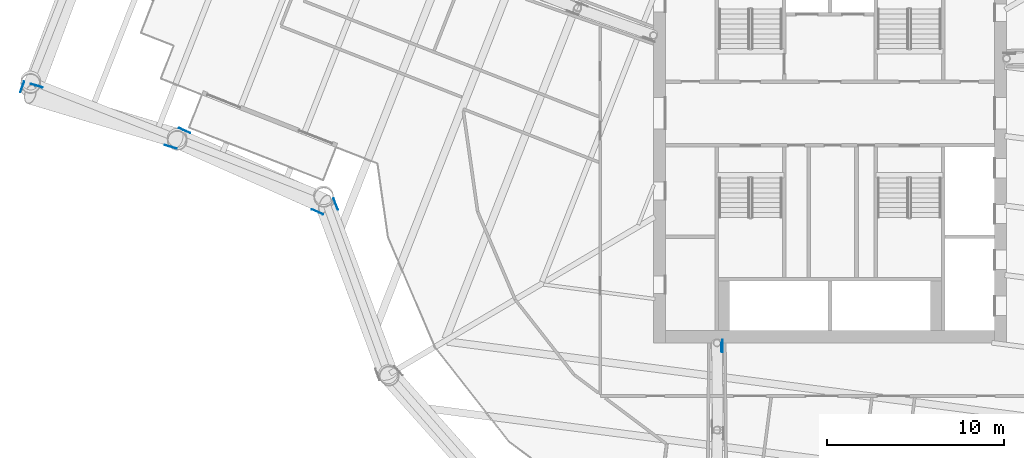
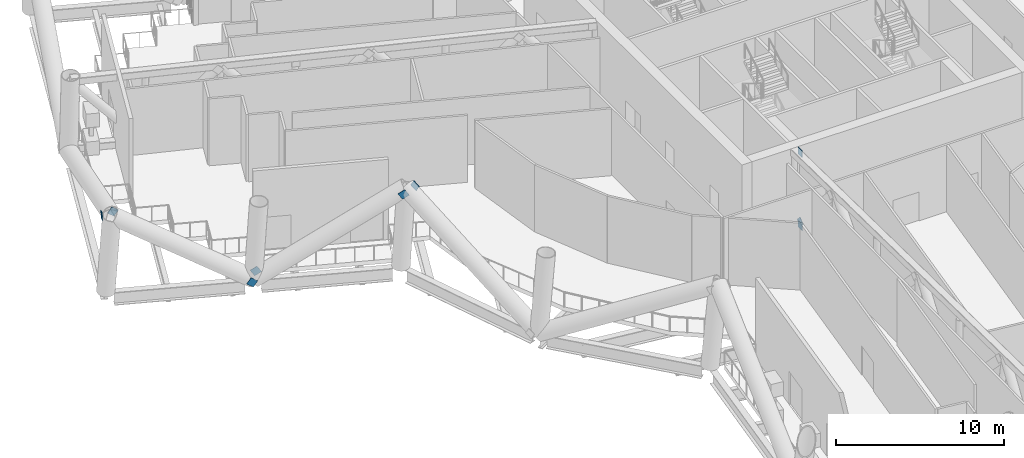
# One storey, part 22 of 36: 9 discrete accessories.
"""IFC4 building model written with IfcOpenShell, lengths in metres."""

from ifc_helpers import new_model, si_unit, direction, frame, origin, origin_2d, place, context, subcontext, project, spatial, rectangle, extrude, material, material_profile, profile_set, type_object, element, save


model = new_model("IFC4")

# Units and contexts
model_context = context("Model", 3, precision=1e-05, world=origin(), true_north=direction((0.0, 1.0)))
body_context = subcontext(model_context, "Body", "Model", "MODEL_VIEW")
ifc_project = project(units=[si_unit("LENGTHUNIT", "METRE"), si_unit("AREAUNIT", "SQUARE_METRE"), si_unit("VOLUMEUNIT", "CUBIC_METRE"), si_unit("PLANEANGLEUNIT", "RADIAN"), si_unit("MASSUNIT", "GRAM", prefix="KILO")], contexts=[model_context])

# Site, building, storey
site_placement = place(None, origin())
site = spatial("IfcSite", under=ifc_project, at=site_placement, CompositionType="ELEMENT")
building_placement = place(site_placement, origin())
building = spatial("IfcBuilding", under=site, at=building_placement, Name="Tarsis Ring Headquarters", CompositionType="ELEMENT")
storey_placement = place(building_placement, frame((0.0, 0.0, 194.39990234375)))
storey = spatial("IfcBuildingStorey", under=building, at=storey_placement, Name="L45", CompositionType="ELEMENT", Elevation=194.39990234375)

# Discrete accessories
ifc_material = material(Name="Structural steel S355", Category="steel")
ifc_material_profile = material_profile(ifc_material, rectangle(XDim=0.02490234375, YDim=0.5, at=origin_2d()), Name="PL 25x500")
ifc_profile_set = profile_set([ifc_material_profile], Name="Structural steel S355")
discrete_accessory_type_1 = type_object("IfcDiscreteAccessoryType", Name="Gusset plate Belt truss 25", PredefinedType="BRACKET", material=ifc_profile_set)
discrete_accessory_1_placement = place(storey_placement, frame((-45.80908203125, 1.2783203125, 6.0), z_axis=(0.326146059941, 0.873954262416, -0.36032304227), x_axis=(-0.936887239967, 0.349631662736, 0.0)))
element("IfcDiscreteAccessory", 1, at=discrete_accessory_1_placement, inside=storey, type_object=discrete_accessory_type_1, Name="Gusset plate GP4", PredefinedType="BRACKET", context=body_context, shape_type="SweptSolid", body=[
    extrude(rectangle(XDim=0.02490234375, YDim=0.5, at=origin_2d()), origin(), (0.0, 0.0, 1.0), 0.5),
])
discrete_accessory_2_placement = place(storey_placement, frame((-37.124755859375, -1.95849609375, 0.0), z_axis=(-0.787881869601, 0.236266929917, 0.568700358169), x_axis=(-0.287238990317, -0.957858947049, 0.0)))
element("IfcDiscreteAccessory", 2, at=discrete_accessory_2_placement, inside=storey, type_object=discrete_accessory_type_1, Name="Gusset plate GP4", PredefinedType="BRACKET", context=body_context, shape_type="SweptSolid", body=[
    extrude(rectangle(XDim=0.02490234375, YDim=0.5, at=origin_2d()), origin(), (0.0, 0.0, 1.0), 0.500244140625),
])
for number, where, z_axis, x_axis, name in (
    (3, (-45.10986328125, 1.6259765625, 6.0), (0.788191461356, -0.235871422451, -0.568435477707), (0.286694347048, 0.958022103801, 0.0), "Gusset plate GP4"),
    (4, (-36.728515625, -0.88916015625, 0.0), (0.764195321343, -0.340347692636, 0.547876773512), (0.406842402085, 0.913498363362, 0.0), "Gusset plate GP4"),
    (5, (-28.82275390625, -5.660888671875, 6.0), (-0.764195321343, 0.340347692636, -0.547876773512), (-0.406842402085, -0.913498363362, 0.0), "Gusset plate GP4"),
    (6, (-28.054931640625, -4.93994140625, 6.0), (0.30121111596, -0.809901525733, -0.503320357463), (0.937277664613, 0.348583676351, 0.0), "Gusset plate GP4"),
):
    element("IfcDiscreteAccessory", number, at=place(storey_placement, frame(where, z_axis=z_axis, x_axis=x_axis)), inside=storey, type_object=discrete_accessory_type_1, Name=name, PredefinedType="BRACKET", context=body_context, shape_type="SweptSolid", body=[
        extrude(rectangle(XDim=0.02490234375, YDim=0.5, at=origin_2d()), origin(), (0.0, 0.0, 1.0), 0.5),
    ])
discrete_accessory_type_2 = type_object("IfcDiscreteAccessoryType", Name="Gusset plate Outrigger 25", PredefinedType="BRACKET", material=ifc_profile_set)
discrete_accessory_3_placement = place(storey_placement, frame((-6.082763671875, -12.99658203125, 0.254150390625), z_axis=(0.007324383774, -0.679214522003, 0.733903254184), x_axis=(0.99994186196, 0.010782981977, 0.0)))
element("IfcDiscreteAccessory", 7, at=discrete_accessory_3_placement, inside=storey, type_object=discrete_accessory_type_2, Name="Gusset plate GP1", PredefinedType="BRACKET", context=body_context, shape_type="SweptSolid", body=[
    extrude(rectangle(XDim=0.02490234375, YDim=0.5, at=origin_2d()), origin(), (0.0, 0.0, 1.0), 0.5),
])
discrete_accessory_type_3 = type_object("IfcDiscreteAccessoryType", Name="Gusset plate Outrigger chord 25", PredefinedType="BRACKET", material=ifc_profile_set)
for number, where, z_axis, x_axis, name in (
    (8, (-6.133544921875, -13.00244140625, 0.254150390625), (-0.009276944529, -0.999956968224, 0.0), (0.999956968224, -0.009276944529, 0.0), "Gusset plate GP3"),
    (9, (-6.133544921875, -12.9970703125, 5.586181640625), (0.010741567758, -0.999942307697, 0.0), (0.999942307697, 0.010741567758, 0.0), "Gusset plate GP3"),
):
    element("IfcDiscreteAccessory", number, at=place(storey_placement, frame(where, z_axis=z_axis, x_axis=x_axis)), inside=storey, type_object=discrete_accessory_type_3, Name=name, PredefinedType="BRACKET", context=body_context, shape_type="SweptSolid", body=[
        extrude(rectangle(XDim=0.02490234375, YDim=0.5, at=origin_2d()), origin(), (0.0, 0.0, 1.0), 0.5),
    ])

save(model, "model.ifc")
